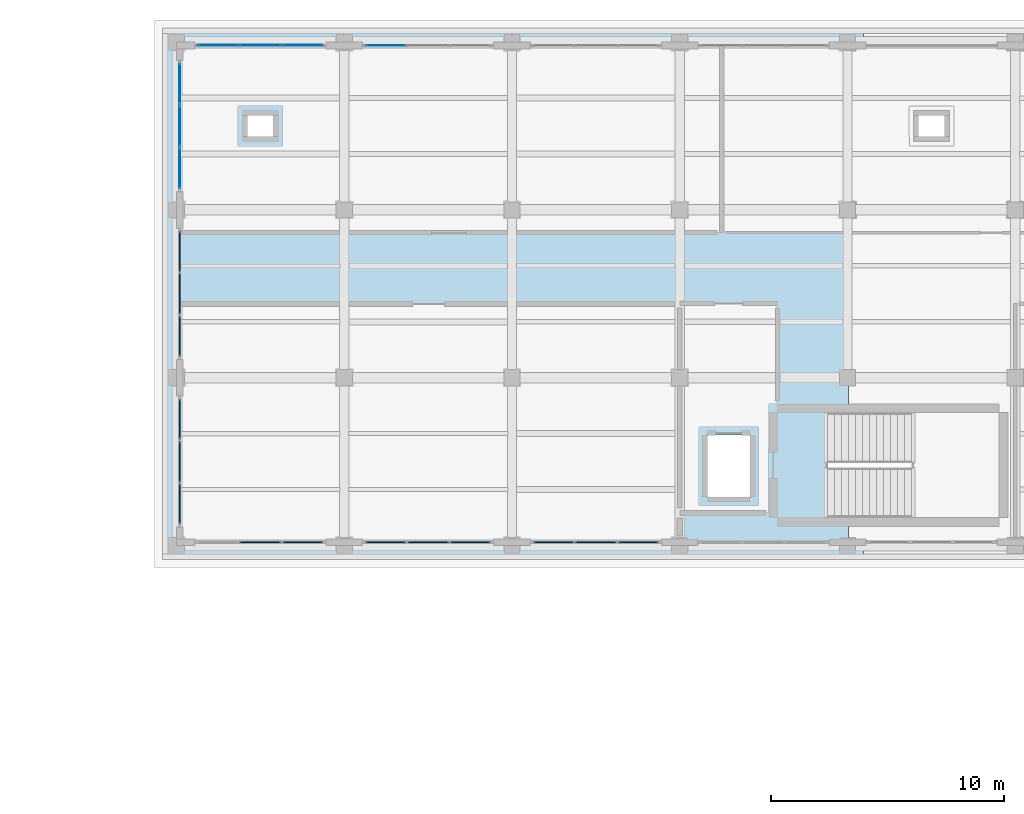
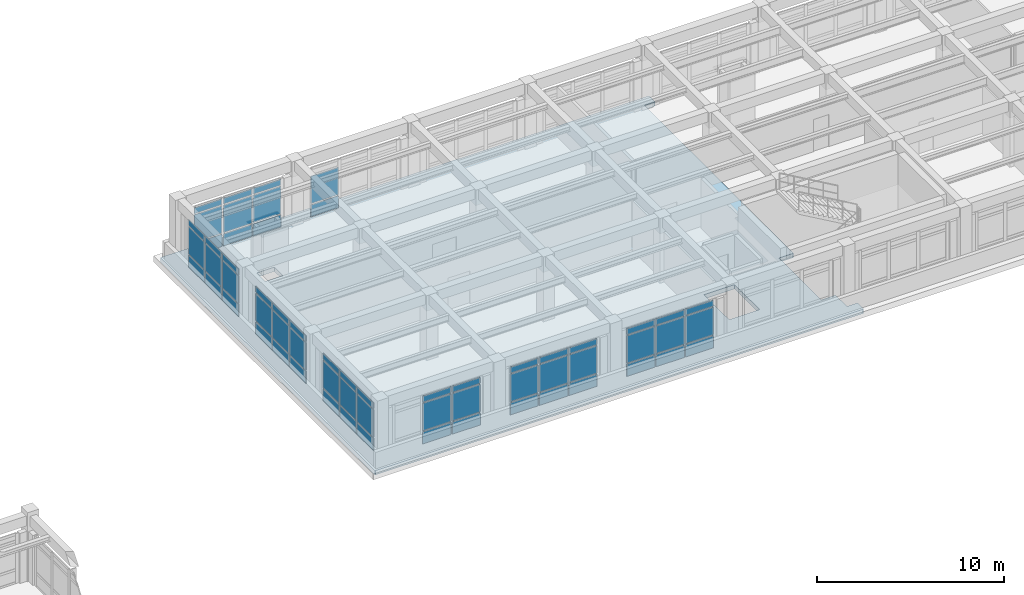
# One storey, part 41 of 64: 62 plates, 1 slab, 8 elements without a shape of their own.
"""IFC4 building model written with IfcOpenShell, lengths in metres."""

from ifc_helpers import new_model, si_unit, direction, frame, origin, origin_2d, place, context, subcontext, project, spatial, polyline, rectangle, outline, extrude, material, layer, layer_set, type_object, element, aggregate, save


model = new_model("IFC4")

# Units and contexts
model_context = context("Model", 3, precision=1e-05, world=origin(), true_north=direction((0.0, 1.0)))
body_context = subcontext(model_context, "Body", "Model", "MODEL_VIEW")
ifc_project = project(units=[si_unit("LENGTHUNIT", "METRE"), si_unit("AREAUNIT", "SQUARE_METRE"), si_unit("VOLUMEUNIT", "CUBIC_METRE"), si_unit("PLANEANGLEUNIT", "RADIAN"), si_unit("MASSUNIT", "GRAM", prefix="KILO")], contexts=[model_context])

# Site, building, storey
site_placement = place(None, origin())
site = spatial("IfcSite", under=ifc_project, at=site_placement, CompositionType="ELEMENT")
building_placement = place(site_placement, origin())
building = spatial("IfcBuilding", under=site, at=building_placement, Name="Solenvale Faculty of Natural Sciences", CompositionType="ELEMENT")
storey_placement = place(building_placement, frame((0.0, 0.0, 18.0)))
storey = spatial("IfcBuildingStorey", under=building, at=storey_placement, Name="L04", CompositionType="ELEMENT", Elevation=18.0)

# Curtain wall, plates
ifc_material_1 = material(Name="Anodised bronze aluminium", Category="aluminium")
ifc_layer_1 = layer(ifc_material_1, 0.179931640625)
ifc_layer_set_1 = layer_set([ifc_layer_1], Name="Anodised bronze aluminium")
curtain_wall_type = type_object("IfcCurtainWallType", Name="CW-TWR-MOD", PredefinedType="USERDEFINED", material=ifc_layer_set_1)
curtain_wall_1_placement = place(storey_placement, origin())
curtain_wall_1 = element("IfcCurtainWall", 1, at=curtain_wall_1_placement, inside=storey, type_object=curtain_wall_type, Name="L04 Curtain Wall CW-L04-P3-E4-B9", ObjectType="UNITISED CURTAIN WALL", PredefinedType="USERDEFINED")
ifc_material_2 = material(Name="Triple low-E insulated glass", Category="glass")
ifc_layer_2 = layer(ifc_material_2, 0.035888671875)
ifc_layer_set_2 = layer_set([ifc_layer_2], Name="Triple low-E insulated glass")
plate_type_1 = type_object("IfcPlateType", Name="CWP-PNL-36", PredefinedType="CURTAIN_PANEL", material=ifc_layer_set_2)
plate_1_placement = place(storey_placement, frame((88.185302734375, 115.0576171875, 0.074951171875), z_axis=(0.0, 0.0, 1.0), x_axis=(-1.0, 0.0, 0.0)))
plate_1 = element("IfcPlate", 2, at=plate_1_placement, type_object=plate_type_1, Name="CW-04 panel 3.1", PredefinedType="CURTAIN_PANEL", context=body_context, shape_type="SweptSolid", body=[
    extrude(rectangle(XDim=1.720947265625, YDim=0.035888671875, at=origin_2d()), origin(), (0.0, 0.0, 1.0), 0.78759765625),
])
plate_2_placement = place(storey_placement, frame((88.185302734375, 115.0576171875, 0.9375), z_axis=(0.0, 0.0, 1.0), x_axis=(-1.0, 0.0, 0.0)))
plate_2 = element("IfcPlate", 3, at=plate_2_placement, type_object=plate_type_1, Name="CW-04 panel 3.2", PredefinedType="CURTAIN_PANEL", context=body_context, shape_type="SweptSolid", body=[
    extrude(rectangle(XDim=1.720947265625, YDim=0.035888671875, at=origin_2d()), origin(), (0.0, 0.0, 1.0), 1.784912109375),
])
aggregate(curtain_wall_1, [plate_1, plate_2])

curtain_wall_2_placement = place(storey_placement, origin())
curtain_wall_2 = element("IfcCurtainWall", 4, at=curtain_wall_2_placement, inside=storey, type_object=curtain_wall_type, Name="L04 Curtain Wall CW-L04-P3-E4-B10", ObjectType="UNITISED CURTAIN WALL", PredefinedType="USERDEFINED")
ifc_layer_3 = layer(ifc_material_2, 0.0400390625)
ifc_layer_set_3 = layer_set([ifc_layer_3], Name="Triple low-E insulated glass")
plate_type_2 = type_object("IfcPlateType", Name="CWP-PNL-40", PredefinedType="CURTAIN_PANEL", material=ifc_layer_set_3)
plate_3_placement = place(storey_placement, frame((84.614501953125, 115.0576171875, 0.074951171875), z_axis=(0.0, 0.0, 1.0), x_axis=(-1.0, 0.0, 0.0)))
plate_3 = element("IfcPlate", 5, at=plate_3_placement, type_object=plate_type_2, Name="CW-04 panel 1.1", PredefinedType="CURTAIN_PANEL", context=body_context, shape_type="SweptSolid", body=[
    extrude(rectangle(XDim=1.720947265625, YDim=0.0400390625, at=origin_2d()), origin(), (0.0, 0.0, 1.0), 0.78759765625),
])
plate_4_placement = place(storey_placement, frame((84.614501953125, 115.0576171875, 0.9375), z_axis=(0.0, 0.0, 1.0), x_axis=(-1.0, 0.0, 0.0)))
plate_4 = element("IfcPlate", 6, at=plate_4_placement, type_object=plate_type_2, Name="CW-04 panel 1.2", PredefinedType="CURTAIN_PANEL", context=body_context, shape_type="SweptSolid", body=[
    extrude(rectangle(XDim=1.720947265625, YDim=0.0400390625, at=origin_2d()), origin(), (0.0, 0.0, 1.0), 1.784912109375),
])
plate_5_placement = place(storey_placement, frame((84.614501953125, 115.0576171875, 2.79736328125), z_axis=(0.0, 0.0, 1.0), x_axis=(-1.0, 0.0, 0.0)))
plate_5 = element("IfcPlate", 7, at=plate_5_placement, type_object=plate_type_2, Name="CW-04 panel 1.3", PredefinedType="CURTAIN_PANEL", context=body_context, shape_type="SweptSolid", body=[
    extrude(rectangle(XDim=1.720947265625, YDim=0.0400390625, at=origin_2d()), origin(), (0.0, 0.0, 1.0), 0.387451171875),
])
plate_6_placement = place(storey_placement, frame((82.800048828125, 115.0576171875, 0.074951171875), z_axis=(0.0, 0.0, 1.0), x_axis=(-1.0, 0.0, 0.0)))
plate_6 = element("IfcPlate", 8, at=plate_6_placement, type_object=plate_type_2, Name="CW-04 panel 2.1", PredefinedType="CURTAIN_PANEL", context=body_context, shape_type="SweptSolid", body=[
    extrude(rectangle(XDim=1.75830078125, YDim=0.0400390625, at=origin_2d()), origin(), (0.0, 0.0, 1.0), 0.78759765625),
])
plate_7_placement = place(storey_placement, frame((82.800048828125, 115.0576171875, 0.9375), z_axis=(0.0, 0.0, 1.0), x_axis=(-1.0, 0.0, 0.0)))
plate_7 = element("IfcPlate", 9, at=plate_7_placement, type_object=plate_type_2, Name="CW-04 panel 2.2", PredefinedType="CURTAIN_PANEL", context=body_context, shape_type="SweptSolid", body=[
    extrude(rectangle(XDim=1.75830078125, YDim=0.0400390625, at=origin_2d()), origin(), (0.0, 0.0, 1.0), 1.784912109375),
])
plate_8_placement = place(storey_placement, frame((82.800048828125, 115.0576171875, 2.79736328125), z_axis=(0.0, 0.0, 1.0), x_axis=(-1.0, 0.0, 0.0)))
plate_8 = element("IfcPlate", 10, at=plate_8_placement, type_object=plate_type_2, Name="CW-04 panel 2.3", PredefinedType="CURTAIN_PANEL", context=body_context, shape_type="SweptSolid", body=[
    extrude(rectangle(XDim=1.75830078125, YDim=0.0400390625, at=origin_2d()), origin(), (0.0, 0.0, 1.0), 0.387451171875),
])
plate_9_placement = place(storey_placement, frame((80.9853515625, 115.0576171875, 0.074951171875), z_axis=(0.0, 0.0, 1.0), x_axis=(-1.0, 0.0, 0.0)))
plate_9 = element("IfcPlate", 11, at=plate_9_placement, type_object=plate_type_2, Name="CW-04 panel 3.1", PredefinedType="CURTAIN_PANEL", context=body_context, shape_type="SweptSolid", body=[
    extrude(rectangle(XDim=1.720947265625, YDim=0.0400390625, at=origin_2d()), origin(), (0.0, 0.0, 1.0), 0.78759765625),
])
plate_10_placement = place(storey_placement, frame((80.9853515625, 115.0576171875, 0.9375), z_axis=(0.0, 0.0, 1.0), x_axis=(-1.0, 0.0, 0.0)))
plate_10 = element("IfcPlate", 12, at=plate_10_placement, type_object=plate_type_2, Name="CW-04 panel 3.2", PredefinedType="CURTAIN_PANEL", context=body_context, shape_type="SweptSolid", body=[
    extrude(rectangle(XDim=1.720947265625, YDim=0.0400390625, at=origin_2d()), origin(), (0.0, 0.0, 1.0), 1.784912109375),
])
plate_11_placement = place(storey_placement, frame((80.9853515625, 115.0576171875, 2.79736328125), z_axis=(0.0, 0.0, 1.0), x_axis=(-1.0, 0.0, 0.0)))
plate_11 = element("IfcPlate", 13, at=plate_11_placement, type_object=plate_type_2, Name="CW-04 panel 3.3", PredefinedType="CURTAIN_PANEL", context=body_context, shape_type="SweptSolid", body=[
    extrude(rectangle(XDim=1.720947265625, YDim=0.0400390625, at=origin_2d()), origin(), (0.0, 0.0, 1.0), 0.387451171875),
])
aggregate(curtain_wall_2, [plate_3, plate_4, plate_5, plate_6, plate_7, plate_8, plate_9, plate_10, plate_11])

curtain_wall_3_placement = place(storey_placement, origin())
curtain_wall_3 = element("IfcCurtainWall", 14, at=curtain_wall_3_placement, inside=storey, type_object=curtain_wall_type, Name="L04 Curtain Wall CW-L04-P3-E5-B1", ObjectType="UNITISED CURTAIN WALL", PredefinedType="USERDEFINED")
plate_12_placement = place(storey_placement, frame((79.342529296875, 113.41455078125, 0.074951171875), z_axis=(0.0, 0.0, 1.0), x_axis=(0.0, -1.0, 0.0)))
plate_12 = element("IfcPlate", 15, at=plate_12_placement, type_object=plate_type_2, Name="CW-04 panel 1.1", PredefinedType="CURTAIN_PANEL", context=body_context, shape_type="SweptSolid", body=[
    extrude(rectangle(XDim=1.720947265625, YDim=0.0400390625, at=origin_2d()), origin(), (0.0, 0.0, 1.0), 0.78759765625),
])
plate_13_placement = place(storey_placement, frame((79.342529296875, 113.41455078125, 0.9375), z_axis=(0.0, 0.0, 1.0), x_axis=(0.0, -1.0, 0.0)))
plate_13 = element("IfcPlate", 16, at=plate_13_placement, type_object=plate_type_2, Name="CW-04 panel 1.2", PredefinedType="CURTAIN_PANEL", context=body_context, shape_type="SweptSolid", body=[
    extrude(rectangle(XDim=1.720947265625, YDim=0.0400390625, at=origin_2d()), origin(), (0.0, 0.0, 1.0), 1.784912109375),
])
plate_14_placement = place(storey_placement, frame((79.342529296875, 113.41455078125, 2.79736328125), z_axis=(0.0, 0.0, 1.0), x_axis=(0.0, -1.0, 0.0)))
plate_14 = element("IfcPlate", 17, at=plate_14_placement, type_object=plate_type_2, Name="CW-04 panel 1.3", PredefinedType="CURTAIN_PANEL", context=body_context, shape_type="SweptSolid", body=[
    extrude(rectangle(XDim=1.720947265625, YDim=0.0400390625, at=origin_2d()), origin(), (0.0, 0.0, 1.0), 0.387451171875),
])
plate_15_placement = place(storey_placement, frame((79.342529296875, 111.60009765625, 0.074951171875), z_axis=(0.0, 0.0, 1.0), x_axis=(0.0, -1.0, 0.0)))
plate_15 = element("IfcPlate", 18, at=plate_15_placement, type_object=plate_type_2, Name="CW-04 panel 2.1", PredefinedType="CURTAIN_PANEL", context=body_context, shape_type="SweptSolid", body=[
    extrude(rectangle(XDim=1.75830078125, YDim=0.0400390625, at=origin_2d()), origin(), (0.0, 0.0, 1.0), 0.78759765625),
])
plate_16_placement = place(storey_placement, frame((79.342529296875, 111.60009765625, 0.9375), z_axis=(0.0, 0.0, 1.0), x_axis=(0.0, -1.0, 0.0)))
plate_16 = element("IfcPlate", 19, at=plate_16_placement, type_object=plate_type_2, Name="CW-04 panel 2.2", PredefinedType="CURTAIN_PANEL", context=body_context, shape_type="SweptSolid", body=[
    extrude(rectangle(XDim=1.75830078125, YDim=0.0400390625, at=origin_2d()), origin(), (0.0, 0.0, 1.0), 1.784912109375),
])
plate_17_placement = place(storey_placement, frame((79.342529296875, 111.60009765625, 2.79736328125), z_axis=(0.0, 0.0, 1.0), x_axis=(0.0, -1.0, 0.0)))
plate_17 = element("IfcPlate", 20, at=plate_17_placement, type_object=plate_type_2, Name="CW-04 panel 2.3", PredefinedType="CURTAIN_PANEL", context=body_context, shape_type="SweptSolid", body=[
    extrude(rectangle(XDim=1.75830078125, YDim=0.0400390625, at=origin_2d()), origin(), (0.0, 0.0, 1.0), 0.387451171875),
])
plate_18_placement = place(storey_placement, frame((79.342529296875, 109.785400390625, 0.074951171875), z_axis=(0.0, 0.0, 1.0), x_axis=(0.0, -1.0, 0.0)))
plate_18 = element("IfcPlate", 21, at=plate_18_placement, type_object=plate_type_2, Name="CW-04 panel 3.1", PredefinedType="CURTAIN_PANEL", context=body_context, shape_type="SweptSolid", body=[
    extrude(rectangle(XDim=1.720947265625, YDim=0.0400390625, at=origin_2d()), origin(), (0.0, 0.0, 1.0), 0.78759765625),
])
plate_19_placement = place(storey_placement, frame((79.342529296875, 109.785400390625, 0.9375), z_axis=(0.0, 0.0, 1.0), x_axis=(0.0, -1.0, 0.0)))
plate_19 = element("IfcPlate", 22, at=plate_19_placement, type_object=plate_type_2, Name="CW-04 panel 3.2", PredefinedType="CURTAIN_PANEL", context=body_context, shape_type="SweptSolid", body=[
    extrude(rectangle(XDim=1.720947265625, YDim=0.0400390625, at=origin_2d()), origin(), (0.0, 0.0, 1.0), 1.784912109375),
])
plate_20_placement = place(storey_placement, frame((79.342529296875, 109.785400390625, 2.79736328125), z_axis=(0.0, 0.0, 1.0), x_axis=(0.0, -1.0, 0.0)))
plate_20 = element("IfcPlate", 23, at=plate_20_placement, type_object=plate_type_2, Name="CW-04 panel 3.3", PredefinedType="CURTAIN_PANEL", context=body_context, shape_type="SweptSolid", body=[
    extrude(rectangle(XDim=1.720947265625, YDim=0.0400390625, at=origin_2d()), origin(), (0.0, 0.0, 1.0), 0.387451171875),
])
aggregate(curtain_wall_3, [plate_12, plate_13, plate_14, plate_15, plate_16, plate_17, plate_18, plate_19, plate_20])

curtain_wall_4_placement = place(storey_placement, origin())
curtain_wall_4 = element("IfcCurtainWall", 24, at=curtain_wall_4_placement, inside=storey, type_object=curtain_wall_type, Name="L04 Curtain Wall CW-L04-P3-E5-B2", ObjectType="UNITISED CURTAIN WALL", PredefinedType="USERDEFINED")
ifc_layer_4 = layer(ifc_material_2, 0.0439453125)
ifc_layer_set_4 = layer_set([ifc_layer_4], Name="Triple low-E insulated glass")
plate_type_3 = type_object("IfcPlateType", Name="CWP-PNL-44", PredefinedType="CURTAIN_PANEL", material=ifc_layer_set_4)
plate_21_placement = place(storey_placement, frame((79.342529296875, 106.214599609375, 0.074951171875), z_axis=(0.0, 0.0, 1.0), x_axis=(0.0, -1.0, 0.0)))
plate_21 = element("IfcPlate", 25, at=plate_21_placement, type_object=plate_type_3, Name="CW-04 panel 1.1", PredefinedType="CURTAIN_PANEL", context=body_context, shape_type="SweptSolid", body=[
    extrude(rectangle(XDim=1.720947265625, YDim=0.0439453125, at=origin_2d()), origin(), (0.0, 0.0, 1.0), 0.78759765625),
])
plate_22_placement = place(storey_placement, frame((79.342529296875, 106.214599609375, 0.9375), z_axis=(0.0, 0.0, 1.0), x_axis=(0.0, -1.0, 0.0)))
plate_22 = element("IfcPlate", 26, at=plate_22_placement, type_object=plate_type_3, Name="CW-04 panel 1.2", PredefinedType="CURTAIN_PANEL", context=body_context, shape_type="SweptSolid", body=[
    extrude(rectangle(XDim=1.720947265625, YDim=0.0439453125, at=origin_2d()), origin(), (0.0, 0.0, 1.0), 1.784912109375),
])
plate_23_placement = place(storey_placement, frame((79.342529296875, 106.214599609375, 2.79736328125), z_axis=(0.0, 0.0, 1.0), x_axis=(0.0, -1.0, 0.0)))
plate_23 = element("IfcPlate", 27, at=plate_23_placement, type_object=plate_type_3, Name="CW-04 panel 1.3", PredefinedType="CURTAIN_PANEL", context=body_context, shape_type="SweptSolid", body=[
    extrude(rectangle(XDim=1.720947265625, YDim=0.0439453125, at=origin_2d()), origin(), (0.0, 0.0, 1.0), 0.387451171875),
])
plate_24_placement = place(storey_placement, frame((79.342529296875, 104.39990234375, 0.074951171875), z_axis=(0.0, 0.0, 1.0), x_axis=(0.0, -1.0, 0.0)))
plate_24 = element("IfcPlate", 28, at=plate_24_placement, type_object=plate_type_3, Name="CW-04 panel 2.1", PredefinedType="CURTAIN_PANEL", context=body_context, shape_type="SweptSolid", body=[
    extrude(rectangle(XDim=1.75830078125, YDim=0.0439453125, at=origin_2d()), origin(), (0.0, 0.0, 1.0), 0.78759765625),
])
plate_25_placement = place(storey_placement, frame((79.342529296875, 104.39990234375, 0.9375), z_axis=(0.0, 0.0, 1.0), x_axis=(0.0, -1.0, 0.0)))
plate_25 = element("IfcPlate", 29, at=plate_25_placement, type_object=plate_type_3, Name="CW-04 panel 2.2", PredefinedType="CURTAIN_PANEL", context=body_context, shape_type="SweptSolid", body=[
    extrude(rectangle(XDim=1.75830078125, YDim=0.0439453125, at=origin_2d()), origin(), (0.0, 0.0, 1.0), 1.784912109375),
])
plate_26_placement = place(storey_placement, frame((79.342529296875, 104.39990234375, 2.79736328125), z_axis=(0.0, 0.0, 1.0), x_axis=(0.0, -1.0, 0.0)))
plate_26 = element("IfcPlate", 30, at=plate_26_placement, type_object=plate_type_3, Name="CW-04 panel 2.3", PredefinedType="CURTAIN_PANEL", context=body_context, shape_type="SweptSolid", body=[
    extrude(rectangle(XDim=1.75830078125, YDim=0.0439453125, at=origin_2d()), origin(), (0.0, 0.0, 1.0), 0.387451171875),
])
plate_27_placement = place(storey_placement, frame((79.342529296875, 102.58544921875, 0.074951171875), z_axis=(0.0, 0.0, 1.0), x_axis=(0.0, -1.0, 0.0)))
plate_27 = element("IfcPlate", 31, at=plate_27_placement, type_object=plate_type_3, Name="CW-04 panel 3.1", PredefinedType="CURTAIN_PANEL", context=body_context, shape_type="SweptSolid", body=[
    extrude(rectangle(XDim=1.720947265625, YDim=0.0439453125, at=origin_2d()), origin(), (0.0, 0.0, 1.0), 0.78759765625),
])
plate_28_placement = place(storey_placement, frame((79.342529296875, 102.58544921875, 0.9375), z_axis=(0.0, 0.0, 1.0), x_axis=(0.0, -1.0, 0.0)))
plate_28 = element("IfcPlate", 32, at=plate_28_placement, type_object=plate_type_3, Name="CW-04 panel 3.2", PredefinedType="CURTAIN_PANEL", context=body_context, shape_type="SweptSolid", body=[
    extrude(rectangle(XDim=1.720947265625, YDim=0.0439453125, at=origin_2d()), origin(), (0.0, 0.0, 1.0), 1.784912109375),
])
plate_29_placement = place(storey_placement, frame((79.342529296875, 102.58544921875, 2.79736328125), z_axis=(0.0, 0.0, 1.0), x_axis=(0.0, -1.0, 0.0)))
plate_29 = element("IfcPlate", 33, at=plate_29_placement, type_object=plate_type_3, Name="CW-04 panel 3.3", PredefinedType="CURTAIN_PANEL", context=body_context, shape_type="SweptSolid", body=[
    extrude(rectangle(XDim=1.720947265625, YDim=0.0439453125, at=origin_2d()), origin(), (0.0, 0.0, 1.0), 0.387451171875),
])
aggregate(curtain_wall_4, [plate_21, plate_22, plate_23, plate_24, plate_25, plate_26, plate_27, plate_28, plate_29])

curtain_wall_5_placement = place(storey_placement, origin())
curtain_wall_5 = element("IfcCurtainWall", 34, at=curtain_wall_5_placement, inside=storey, type_object=curtain_wall_type, Name="L04 Curtain Wall CW-L04-P3-E6-B1", ObjectType="UNITISED CURTAIN WALL", PredefinedType="USERDEFINED")
plate_30_placement = place(storey_placement, frame((82.800048828125, 93.742431640625, 0.074951171875), z_axis=(0.0, 0.0, 1.0), x_axis=(1.0, 0.0, 0.0)))
plate_30 = element("IfcPlate", 35, at=plate_30_placement, type_object=plate_type_3, Name="CW-04 panel 2.1", PredefinedType="CURTAIN_PANEL", context=body_context, shape_type="SweptSolid", body=[
    extrude(rectangle(XDim=1.75830078125, YDim=0.0439453125, at=origin_2d()), origin(), (0.0, 0.0, 1.0), 0.78759765625),
])
plate_31_placement = place(storey_placement, frame((82.800048828125, 93.742431640625, 0.9375), z_axis=(0.0, 0.0, 1.0), x_axis=(1.0, 0.0, 0.0)))
plate_31 = element("IfcPlate", 36, at=plate_31_placement, type_object=plate_type_3, Name="CW-04 panel 2.2", PredefinedType="CURTAIN_PANEL", context=body_context, shape_type="SweptSolid", body=[
    extrude(rectangle(XDim=1.75830078125, YDim=0.0439453125, at=origin_2d()), origin(), (0.0, 0.0, 1.0), 1.784912109375),
])
plate_32_placement = place(storey_placement, frame((82.800048828125, 93.742431640625, 2.79736328125), z_axis=(0.0, 0.0, 1.0), x_axis=(1.0, 0.0, 0.0)))
plate_32 = element("IfcPlate", 37, at=plate_32_placement, type_object=plate_type_3, Name="CW-04 panel 2.3", PredefinedType="CURTAIN_PANEL", context=body_context, shape_type="SweptSolid", body=[
    extrude(rectangle(XDim=1.75830078125, YDim=0.0439453125, at=origin_2d()), origin(), (0.0, 0.0, 1.0), 0.387451171875),
])
plate_33_placement = place(storey_placement, frame((84.614501953125, 93.742431640625, 0.074951171875), z_axis=(0.0, 0.0, 1.0), x_axis=(1.0, 0.0, 0.0)))
plate_33 = element("IfcPlate", 38, at=plate_33_placement, type_object=plate_type_3, Name="CW-04 panel 3.1", PredefinedType="CURTAIN_PANEL", context=body_context, shape_type="SweptSolid", body=[
    extrude(rectangle(XDim=1.720947265625, YDim=0.0439453125, at=origin_2d()), origin(), (0.0, 0.0, 1.0), 0.78759765625),
])
plate_34_placement = place(storey_placement, frame((84.614501953125, 93.742431640625, 0.9375), z_axis=(0.0, 0.0, 1.0), x_axis=(1.0, 0.0, 0.0)))
plate_34 = element("IfcPlate", 39, at=plate_34_placement, type_object=plate_type_3, Name="CW-04 panel 3.2", PredefinedType="CURTAIN_PANEL", context=body_context, shape_type="SweptSolid", body=[
    extrude(rectangle(XDim=1.720947265625, YDim=0.0439453125, at=origin_2d()), origin(), (0.0, 0.0, 1.0), 1.784912109375),
])
plate_35_placement = place(storey_placement, frame((84.614501953125, 93.742431640625, 2.79736328125), z_axis=(0.0, 0.0, 1.0), x_axis=(1.0, 0.0, 0.0)))
plate_35 = element("IfcPlate", 40, at=plate_35_placement, type_object=plate_type_3, Name="CW-04 panel 3.3", PredefinedType="CURTAIN_PANEL", context=body_context, shape_type="SweptSolid", body=[
    extrude(rectangle(XDim=1.720947265625, YDim=0.0439453125, at=origin_2d()), origin(), (0.0, 0.0, 1.0), 0.387451171875),
])
aggregate(curtain_wall_5, [plate_30, plate_31, plate_32, plate_33, plate_34, plate_35])

curtain_wall_6_placement = place(storey_placement, origin())
curtain_wall_6 = element("IfcCurtainWall", 41, at=curtain_wall_6_placement, inside=storey, type_object=curtain_wall_type, Name="L04 Curtain Wall CW-L04-P3-E5-B3", ObjectType="UNITISED CURTAIN WALL", PredefinedType="USERDEFINED")
ifc_layer_5 = layer(ifc_material_1, 0.048095703125)
ifc_layer_set_5 = layer_set([ifc_layer_5], Name="Anodised bronze aluminium")
plate_type_4 = type_object("IfcPlateType", Name="CWP-PNL-48", PredefinedType="CURTAIN_PANEL", material=ifc_layer_set_5)
plate_36_placement = place(storey_placement, frame((79.342529296875, 99.0146484375, 0.074951171875), z_axis=(0.0, 0.0, 1.0), x_axis=(0.0, -1.0, 0.0)))
plate_36 = element("IfcPlate", 42, at=plate_36_placement, type_object=plate_type_4, Name="CW-04 panel 1.1", PredefinedType="CURTAIN_PANEL", context=body_context, shape_type="SweptSolid", body=[
    extrude(rectangle(XDim=1.720947265625, YDim=0.048095703125, at=origin_2d()), origin(), (0.0, 0.0, 1.0), 0.78759765625),
])
plate_37_placement = place(storey_placement, frame((79.342529296875, 99.0146484375, 0.9375), z_axis=(0.0, 0.0, 1.0), x_axis=(0.0, -1.0, 0.0)))
plate_37 = element("IfcPlate", 43, at=plate_37_placement, type_object=plate_type_4, Name="CW-04 panel 1.2", PredefinedType="CURTAIN_PANEL", context=body_context, shape_type="SweptSolid", body=[
    extrude(rectangle(XDim=1.720947265625, YDim=0.048095703125, at=origin_2d()), origin(), (0.0, 0.0, 1.0), 1.784912109375),
])
plate_38_placement = place(storey_placement, frame((79.342529296875, 99.0146484375, 2.79736328125), z_axis=(0.0, 0.0, 1.0), x_axis=(0.0, -1.0, 0.0)))
plate_38 = element("IfcPlate", 44, at=plate_38_placement, type_object=plate_type_4, Name="CW-04 panel 1.3", PredefinedType="CURTAIN_PANEL", context=body_context, shape_type="SweptSolid", body=[
    extrude(rectangle(XDim=1.720947265625, YDim=0.048095703125, at=origin_2d()), origin(), (0.0, 0.0, 1.0), 0.387451171875),
])
plate_39_placement = place(storey_placement, frame((79.342529296875, 97.199951171875, 0.074951171875), z_axis=(0.0, 0.0, 1.0), x_axis=(0.0, -1.0, 0.0)))
plate_39 = element("IfcPlate", 45, at=plate_39_placement, type_object=plate_type_4, Name="CW-04 panel 2.1", PredefinedType="CURTAIN_PANEL", context=body_context, shape_type="SweptSolid", body=[
    extrude(rectangle(XDim=1.75830078125, YDim=0.048095703125, at=origin_2d()), origin(), (0.0, 0.0, 1.0), 0.78759765625),
])
plate_40_placement = place(storey_placement, frame((79.342529296875, 97.199951171875, 0.9375), z_axis=(0.0, 0.0, 1.0), x_axis=(0.0, -1.0, 0.0)))
plate_40 = element("IfcPlate", 46, at=plate_40_placement, type_object=plate_type_4, Name="CW-04 panel 2.2", PredefinedType="CURTAIN_PANEL", context=body_context, shape_type="SweptSolid", body=[
    extrude(rectangle(XDim=1.75830078125, YDim=0.048095703125, at=origin_2d()), origin(), (0.0, 0.0, 1.0), 1.784912109375),
])
plate_41_placement = place(storey_placement, frame((79.342529296875, 97.199951171875, 2.79736328125), z_axis=(0.0, 0.0, 1.0), x_axis=(0.0, -1.0, 0.0)))
plate_41 = element("IfcPlate", 47, at=plate_41_placement, type_object=plate_type_4, Name="CW-04 panel 2.3", PredefinedType="CURTAIN_PANEL", context=body_context, shape_type="SweptSolid", body=[
    extrude(rectangle(XDim=1.75830078125, YDim=0.048095703125, at=origin_2d()), origin(), (0.0, 0.0, 1.0), 0.387451171875),
])
plate_42_placement = place(storey_placement, frame((79.342529296875, 95.385498046875, 0.074951171875), z_axis=(0.0, 0.0, 1.0), x_axis=(0.0, -1.0, 0.0)))
plate_42 = element("IfcPlate", 48, at=plate_42_placement, type_object=plate_type_4, Name="CW-04 panel 3.1", PredefinedType="CURTAIN_PANEL", context=body_context, shape_type="SweptSolid", body=[
    extrude(rectangle(XDim=1.720947265625, YDim=0.048095703125, at=origin_2d()), origin(), (0.0, 0.0, 1.0), 0.78759765625),
])
plate_43_placement = place(storey_placement, frame((79.342529296875, 95.385498046875, 0.9375), z_axis=(0.0, 0.0, 1.0), x_axis=(0.0, -1.0, 0.0)))
plate_43 = element("IfcPlate", 49, at=plate_43_placement, type_object=plate_type_4, Name="CW-04 panel 3.2", PredefinedType="CURTAIN_PANEL", context=body_context, shape_type="SweptSolid", body=[
    extrude(rectangle(XDim=1.720947265625, YDim=0.048095703125, at=origin_2d()), origin(), (0.0, 0.0, 1.0), 1.784912109375),
])
plate_44_placement = place(storey_placement, frame((79.342529296875, 95.385498046875, 2.79736328125), z_axis=(0.0, 0.0, 1.0), x_axis=(0.0, -1.0, 0.0)))
plate_44 = element("IfcPlate", 50, at=plate_44_placement, type_object=plate_type_4, Name="CW-04 panel 3.3", PredefinedType="CURTAIN_PANEL", context=body_context, shape_type="SweptSolid", body=[
    extrude(rectangle(XDim=1.720947265625, YDim=0.048095703125, at=origin_2d()), origin(), (0.0, 0.0, 1.0), 0.387451171875),
])
aggregate(curtain_wall_6, [plate_36, plate_37, plate_38, plate_39, plate_40, plate_41, plate_42, plate_43, plate_44])

curtain_wall_7_placement = place(storey_placement, origin())
curtain_wall_7 = element("IfcCurtainWall", 51, at=curtain_wall_7_placement, inside=storey, type_object=curtain_wall_type, Name="L04 Curtain Wall CW-L04-P3-E6-B2", ObjectType="UNITISED CURTAIN WALL", PredefinedType="USERDEFINED")
plate_45_placement = place(storey_placement, frame((88.185302734375, 93.742431640625, 0.074951171875), z_axis=(0.0, 0.0, 1.0), x_axis=(1.0, 0.0, 0.0)))
plate_45 = element("IfcPlate", 52, at=plate_45_placement, type_object=plate_type_4, Name="CW-04 panel 1.1", PredefinedType="CURTAIN_PANEL", context=body_context, shape_type="SweptSolid", body=[
    extrude(rectangle(XDim=1.720947265625, YDim=0.048095703125, at=origin_2d()), origin(), (0.0, 0.0, 1.0), 0.78759765625),
])
plate_46_placement = place(storey_placement, frame((88.185302734375, 93.742431640625, 0.9375), z_axis=(0.0, 0.0, 1.0), x_axis=(1.0, 0.0, 0.0)))
plate_46 = element("IfcPlate", 53, at=plate_46_placement, type_object=plate_type_4, Name="CW-04 panel 1.2", PredefinedType="CURTAIN_PANEL", context=body_context, shape_type="SweptSolid", body=[
    extrude(rectangle(XDim=1.720947265625, YDim=0.048095703125, at=origin_2d()), origin(), (0.0, 0.0, 1.0), 1.784912109375),
])
plate_47_placement = place(storey_placement, frame((88.185302734375, 93.742431640625, 2.79736328125), z_axis=(0.0, 0.0, 1.0), x_axis=(1.0, 0.0, 0.0)))
plate_47 = element("IfcPlate", 54, at=plate_47_placement, type_object=plate_type_4, Name="CW-04 panel 1.3", PredefinedType="CURTAIN_PANEL", context=body_context, shape_type="SweptSolid", body=[
    extrude(rectangle(XDim=1.720947265625, YDim=0.048095703125, at=origin_2d()), origin(), (0.0, 0.0, 1.0), 0.387451171875),
])
plate_48_placement = place(storey_placement, frame((90.0, 93.742431640625, 0.074951171875), z_axis=(0.0, 0.0, 1.0), x_axis=(1.0, 0.0, 0.0)))
plate_48 = element("IfcPlate", 55, at=plate_48_placement, type_object=plate_type_4, Name="CW-04 panel 2.1", PredefinedType="CURTAIN_PANEL", context=body_context, shape_type="SweptSolid", body=[
    extrude(rectangle(XDim=1.75830078125, YDim=0.048095703125, at=origin_2d()), origin(), (0.0, 0.0, 1.0), 0.78759765625),
])
plate_49_placement = place(storey_placement, frame((90.0, 93.742431640625, 0.9375), z_axis=(0.0, 0.0, 1.0), x_axis=(1.0, 0.0, 0.0)))
plate_49 = element("IfcPlate", 56, at=plate_49_placement, type_object=plate_type_4, Name="CW-04 panel 2.2", PredefinedType="CURTAIN_PANEL", context=body_context, shape_type="SweptSolid", body=[
    extrude(rectangle(XDim=1.75830078125, YDim=0.048095703125, at=origin_2d()), origin(), (0.0, 0.0, 1.0), 1.784912109375),
])
plate_50_placement = place(storey_placement, frame((90.0, 93.742431640625, 2.79736328125), z_axis=(0.0, 0.0, 1.0), x_axis=(1.0, 0.0, 0.0)))
plate_50 = element("IfcPlate", 57, at=plate_50_placement, type_object=plate_type_4, Name="CW-04 panel 2.3", PredefinedType="CURTAIN_PANEL", context=body_context, shape_type="SweptSolid", body=[
    extrude(rectangle(XDim=1.75830078125, YDim=0.048095703125, at=origin_2d()), origin(), (0.0, 0.0, 1.0), 0.387451171875),
])
plate_51_placement = place(storey_placement, frame((91.814697265625, 93.742431640625, 0.074951171875), z_axis=(0.0, 0.0, 1.0), x_axis=(1.0, 0.0, 0.0)))
plate_51 = element("IfcPlate", 58, at=plate_51_placement, type_object=plate_type_4, Name="CW-04 panel 3.1", PredefinedType="CURTAIN_PANEL", context=body_context, shape_type="SweptSolid", body=[
    extrude(rectangle(XDim=1.720947265625, YDim=0.048095703125, at=origin_2d()), origin(), (0.0, 0.0, 1.0), 0.78759765625),
])
plate_52_placement = place(storey_placement, frame((91.814697265625, 93.742431640625, 0.9375), z_axis=(0.0, 0.0, 1.0), x_axis=(1.0, 0.0, 0.0)))
plate_52 = element("IfcPlate", 59, at=plate_52_placement, type_object=plate_type_4, Name="CW-04 panel 3.2", PredefinedType="CURTAIN_PANEL", context=body_context, shape_type="SweptSolid", body=[
    extrude(rectangle(XDim=1.720947265625, YDim=0.048095703125, at=origin_2d()), origin(), (0.0, 0.0, 1.0), 1.784912109375),
])
plate_53_placement = place(storey_placement, frame((91.814697265625, 93.742431640625, 2.79736328125), z_axis=(0.0, 0.0, 1.0), x_axis=(1.0, 0.0, 0.0)))
plate_53 = element("IfcPlate", 60, at=plate_53_placement, type_object=plate_type_4, Name="CW-04 panel 3.3", PredefinedType="CURTAIN_PANEL", context=body_context, shape_type="SweptSolid", body=[
    extrude(rectangle(XDim=1.720947265625, YDim=0.048095703125, at=origin_2d()), origin(), (0.0, 0.0, 1.0), 0.387451171875),
])
aggregate(curtain_wall_7, [plate_45, plate_46, plate_47, plate_48, plate_49, plate_50, plate_51, plate_52, plate_53])

curtain_wall_8_placement = place(storey_placement, origin())
curtain_wall_8 = element("IfcCurtainWall", 61, at=curtain_wall_8_placement, inside=storey, type_object=curtain_wall_type, Name="L04 Curtain Wall CW-L04-P3-E6-B3", ObjectType="UNITISED CURTAIN WALL", PredefinedType="USERDEFINED")
ifc_layer_6 = layer(ifc_material_1, 0.053955078125)
ifc_layer_set_6 = layer_set([ifc_layer_6], Name="Anodised bronze aluminium")
plate_type_5 = type_object("IfcPlateType", Name="CWP-PNL-54", PredefinedType="CURTAIN_PANEL", material=ifc_layer_set_6)
plate_54_placement = place(storey_placement, frame((95.385498046875, 93.742431640625, 0.074951171875), z_axis=(0.0, 0.0, 1.0), x_axis=(1.0, 0.0, 0.0)))
plate_54 = element("IfcPlate", 62, at=plate_54_placement, type_object=plate_type_5, Name="CW-04 panel 1.1", PredefinedType="CURTAIN_PANEL", context=body_context, shape_type="SweptSolid", body=[
    extrude(rectangle(XDim=1.720947265625, YDim=0.053955078125, at=origin_2d()), origin(), (0.0, 0.0, 1.0), 0.78759765625),
])
plate_55_placement = place(storey_placement, frame((95.385498046875, 93.742431640625, 0.9375), z_axis=(0.0, 0.0, 1.0), x_axis=(1.0, 0.0, 0.0)))
plate_55 = element("IfcPlate", 63, at=plate_55_placement, type_object=plate_type_5, Name="CW-04 panel 1.2", PredefinedType="CURTAIN_PANEL", context=body_context, shape_type="SweptSolid", body=[
    extrude(rectangle(XDim=1.720947265625, YDim=0.053955078125, at=origin_2d()), origin(), (0.0, 0.0, 1.0), 1.784912109375),
])
plate_56_placement = place(storey_placement, frame((95.385498046875, 93.742431640625, 2.79736328125), z_axis=(0.0, 0.0, 1.0), x_axis=(1.0, 0.0, 0.0)))
plate_56 = element("IfcPlate", 64, at=plate_56_placement, type_object=plate_type_5, Name="CW-04 panel 1.3", PredefinedType="CURTAIN_PANEL", context=body_context, shape_type="SweptSolid", body=[
    extrude(rectangle(XDim=1.720947265625, YDim=0.053955078125, at=origin_2d()), origin(), (0.0, 0.0, 1.0), 0.387451171875),
])
plate_57_placement = place(storey_placement, frame((97.199951171875, 93.742431640625, 0.074951171875), z_axis=(0.0, 0.0, 1.0), x_axis=(1.0, 0.0, 0.0)))
plate_57 = element("IfcPlate", 65, at=plate_57_placement, type_object=plate_type_5, Name="CW-04 panel 2.1", PredefinedType="CURTAIN_PANEL", context=body_context, shape_type="SweptSolid", body=[
    extrude(rectangle(XDim=1.75830078125, YDim=0.053955078125, at=origin_2d()), origin(), (0.0, 0.0, 1.0), 0.78759765625),
])
plate_58_placement = place(storey_placement, frame((97.199951171875, 93.742431640625, 0.9375), z_axis=(0.0, 0.0, 1.0), x_axis=(1.0, 0.0, 0.0)))
plate_58 = element("IfcPlate", 66, at=plate_58_placement, type_object=plate_type_5, Name="CW-04 panel 2.2", PredefinedType="CURTAIN_PANEL", context=body_context, shape_type="SweptSolid", body=[
    extrude(rectangle(XDim=1.75830078125, YDim=0.053955078125, at=origin_2d()), origin(), (0.0, 0.0, 1.0), 1.784912109375),
])
plate_59_placement = place(storey_placement, frame((97.199951171875, 93.742431640625, 2.79736328125), z_axis=(0.0, 0.0, 1.0), x_axis=(1.0, 0.0, 0.0)))
plate_59 = element("IfcPlate", 67, at=plate_59_placement, type_object=plate_type_5, Name="CW-04 panel 2.3", PredefinedType="CURTAIN_PANEL", context=body_context, shape_type="SweptSolid", body=[
    extrude(rectangle(XDim=1.75830078125, YDim=0.053955078125, at=origin_2d()), origin(), (0.0, 0.0, 1.0), 0.387451171875),
])
plate_60_placement = place(storey_placement, frame((99.0146484375, 93.742431640625, 0.074951171875), z_axis=(0.0, 0.0, 1.0), x_axis=(1.0, 0.0, 0.0)))
plate_60 = element("IfcPlate", 68, at=plate_60_placement, type_object=plate_type_5, Name="CW-04 panel 3.1", PredefinedType="CURTAIN_PANEL", context=body_context, shape_type="SweptSolid", body=[
    extrude(rectangle(XDim=1.720947265625, YDim=0.053955078125, at=origin_2d()), origin(), (0.0, 0.0, 1.0), 0.78759765625),
])
plate_61_placement = place(storey_placement, frame((99.0146484375, 93.742431640625, 0.9375), z_axis=(0.0, 0.0, 1.0), x_axis=(1.0, 0.0, 0.0)))
plate_61 = element("IfcPlate", 69, at=plate_61_placement, type_object=plate_type_5, Name="CW-04 panel 3.2", PredefinedType="CURTAIN_PANEL", context=body_context, shape_type="SweptSolid", body=[
    extrude(rectangle(XDim=1.720947265625, YDim=0.053955078125, at=origin_2d()), origin(), (0.0, 0.0, 1.0), 1.784912109375),
])
plate_62_placement = place(storey_placement, frame((99.0146484375, 93.742431640625, 2.79736328125), z_axis=(0.0, 0.0, 1.0), x_axis=(1.0, 0.0, 0.0)))
plate_62 = element("IfcPlate", 70, at=plate_62_placement, type_object=plate_type_5, Name="CW-04 panel 3.3", PredefinedType="CURTAIN_PANEL", context=body_context, shape_type="SweptSolid", body=[
    extrude(rectangle(XDim=1.720947265625, YDim=0.053955078125, at=origin_2d()), origin(), (0.0, 0.0, 1.0), 0.387451171875),
])
aggregate(curtain_wall_8, [plate_54, plate_55, plate_56, plate_57, plate_58, plate_59, plate_60, plate_61, plate_62])

# Slab
ifc_material_3 = material(Name="Concrete 40 MPa", Category="concrete")
ifc_layer_7 = layer(ifc_material_3, 0.280029296875)
ifc_layer_set_7 = layer_set([ifc_layer_7], Name="Concrete 40 MPa")
slab_type = type_object("IfcSlabType", Name="SL-FLR-280", PredefinedType="FLOOR", material=ifc_layer_set_7)
slab_placement = place(storey_placement, frame((0.0, 0.0, -0.280029296875)))
element("IfcSlab", 71, at=slab_placement, inside=storey, type_object=slab_type, Name="L04 V5 Floor Slab 1.1", PredefinedType="FLOOR", context=body_context, shape_type="SweptSolid", body=[
    extrude(outline(polyline([(107.139892578125, 94.800048828125), (108.0048828125, 94.800048828125), (108.0244140625, 94.791015625), (108.030029296875, 94.77490234375), (108.031005859375, 93.593505859375), (108.0498046875, 93.580078125), (108.655029296875, 93.580078125), (108.672607421875, 93.57275390625), (108.679931640625, 93.554931640625), (108.679931640625, 92.945068359375), (108.6708984375, 92.92578125), (108.655029296875, 92.919921875), (78.531005859375, 92.92431640625), (78.52001953125, 92.945068359375), (78.524169921875, 115.868896484375), (78.544921875, 115.8798828125), (108.6689453125, 115.875732421875), (108.679931640625, 115.85498046875), (108.679931640625, 115.2451171875), (108.672607421875, 115.227294921875), (108.655029296875, 115.219970703125), (108.0498046875, 115.219970703125), (108.036376953125, 115.214599609375), (108.030029296875, 115.201416015625), (108.030029296875, 99.324951171875), (108.022705078125, 99.307373046875), (108.0048828125, 99.300048828125), (107.139892578125, 99.300048828125), (107.139892578125, 94.800048828125)]), holes=[polyline([(101.9599609375, 95.659912109375), (103.840087890625, 95.659912109375), (103.840087890625, 98.340087890625), (101.9599609375, 98.340087890625), (101.9599609375, 95.659912109375)]), polyline([(82.25, 111.14990234375), (83.35009765625, 111.14990234375), (83.35009765625, 112.050048828125), (82.25, 112.050048828125), (82.25, 111.14990234375)])]), origin(), (0.0, 0.0, 1.0), 0.280029296875),
])

save(model, "model.ifc")
